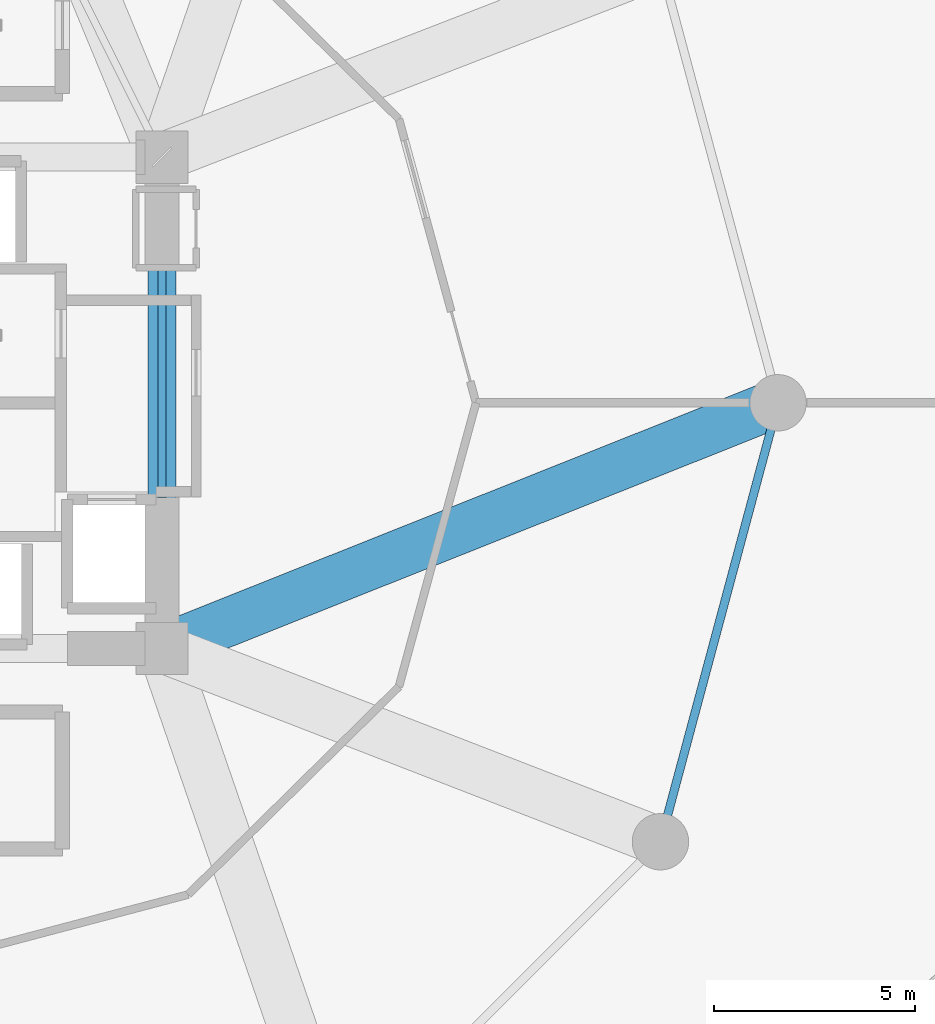
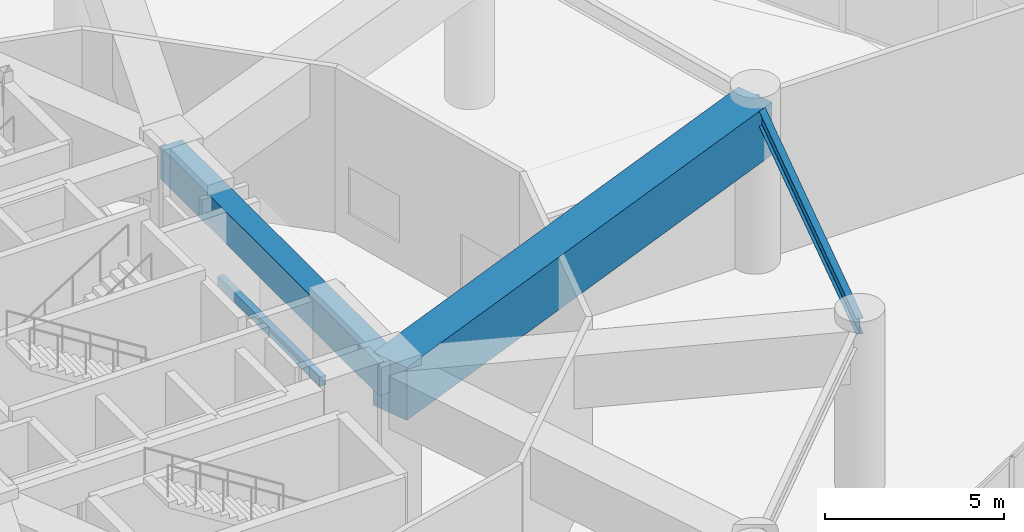
# One storey, part 12 of 28: 4 beams.
"""IFC4 building model written with IfcOpenShell, lengths in metres."""

from ifc_helpers import new_model, si_unit, direction, frame, origin, origin_2d, place, context, subcontext, project, spatial, rectangle, i_section, extrude, material, material_profile, profile_set, type_object, element, save


model = new_model("IFC4")

# Units and contexts
model_context = context("Model", 3, precision=1e-05, world=origin(), true_north=direction((0.0, 1.0)))
body_context = subcontext(model_context, "Body", "Model", "MODEL_VIEW")
ifc_project = project(units=[si_unit("LENGTHUNIT", "METRE"), si_unit("AREAUNIT", "SQUARE_METRE"), si_unit("VOLUMEUNIT", "CUBIC_METRE"), si_unit("PLANEANGLEUNIT", "RADIAN"), si_unit("MASSUNIT", "GRAM", prefix="KILO")], contexts=[model_context])

# Site, building, storey
site_placement = place(None, origin())
site = spatial("IfcSite", under=ifc_project, at=site_placement, CompositionType="ELEMENT")
building_placement = place(site_placement, origin())
building = spatial("IfcBuilding", under=site, at=building_placement, Name="Solvirekh Grand Hotel", CompositionType="ELEMENT")
storey_placement = place(building_placement, frame((0.0, 0.0, 12.60009765625)))
storey = spatial("IfcBuildingStorey", under=building, at=storey_placement, Name="L02", CompositionType="ELEMENT", Elevation=12.60009765625)

# Beams
ifc_material_1 = material(Name="Concrete C60/75", Category="concrete")
ifc_material_profile_1 = material_profile(ifc_material_1, rectangle(XDim=0.699951171875, YDim=1.10009765625, at=origin_2d()), Name="RC BEAM 700X1100")
ifc_profile_set_1 = profile_set([ifc_material_profile_1], Name="Concrete C60/75")
beam_type_1 = type_object("IfcBeamType", Name="Beam_Core_RC1100", PredefinedType="BEAM", material=ifc_profile_set_1)
beam_1_placement = place(storey_placement, frame((6.5, -6.10009765625, 5.08984375), z_axis=(0.0, 1.0, 0.0), x_axis=(-1.0, 0.0, 0.0)))
element("IfcBeam", 1, at=beam_1_placement, inside=storey, type_object=beam_type_1, Name="L02 core coupling ring beam 2", PredefinedType="BEAM", context=body_context, shape_type="SweptSolid", body=[
    extrude(rectangle(XDim=0.699951171875, YDim=1.10009765625, at=origin_2d()), origin(), (0.0, 0.0, 1.0), 12.2001953125),
])
ifc_material_2 = material(Name="Precast concrete C45/55", Category="concrete")
ifc_material_profile_2 = material_profile(ifc_material_2, rectangle(XDim=0.199951171875, YDim=0.320068359375, at=origin_2d()), Name="RC LINTEL 200X320")
ifc_profile_set_2 = profile_set([ifc_material_profile_2], Name="Precast concrete C45/55")
beam_type_2 = type_object("IfcBeamType", Name="Lintel_RC320", PredefinedType="LINTEL", material=ifc_profile_set_2)
beam_2_placement = place(storey_placement, frame((6.5, -2.35009765625, 2.64990234375), z_axis=(0.0, 1.0, 0.0), x_axis=(-1.0, 0.0, 0.0)))
element("IfcBeam", 2, at=beam_2_placement, inside=storey, type_object=beam_type_2, Name="L02 east core lobby RC lintel", PredefinedType="LINTEL", context=body_context, shape_type="SweptSolid", body=[
    extrude(rectangle(XDim=0.199951171875, YDim=0.320068359375, at=origin_2d()), origin(), (0.0, 0.0, 1.0), 5.7001953125),
])
ifc_material_3 = material(Name="Steel S355", Category="steel")
ifc_material_profile_3 = material_profile(ifc_material_3, i_section(OverallWidth=0.208984375, OverallDepth=0.532958984375, WebThickness=0.010009765625, FlangeThickness=0.014892578125, FilletRadius=0.013916015625, at=origin_2d()), Name="W530X92")
ifc_profile_set_3 = profile_set([ifc_material_profile_3], Name="Steel S355")
beam_type_3 = type_object("IfcBeamType", Name="Spandrel_Ring_W530", PredefinedType="SPANDREL", material=ifc_profile_set_3)
beam_3_placement = place(storey_placement, frame((18.87890625, -10.89990234375, 5.372802734375), z_axis=(0.258862249378, 0.965914248703, 0.0), x_axis=(-0.965914248703, 0.258862249378, 0.0)))
element("IfcBeam", 3, at=beam_3_placement, inside=storey, type_object=beam_type_3, Name="L02 perimeter spandrel beam 12", PredefinedType="SPANDREL", context=body_context, shape_type="SweptSolid", body=[
    extrude(i_section(OverallWidth=0.208984375, OverallDepth=0.532958984375, WebThickness=0.010009765625, FlangeThickness=0.014892578125, FilletRadius=0.013916015625, at=origin_2d()), origin(), (0.0, 0.0, 1.0), 11.284423828125),
])
ifc_material_profile_4 = material_profile(ifc_material_1, rectangle(XDim=1.199951171875, YDim=1.800048828125, at=origin_2d()), Name="RC GIRDER 1200X1800")
ifc_profile_set_4 = profile_set([ifc_material_profile_4], Name="Concrete C60/75")
beam_type_4 = type_object("IfcBeamType", Name="TransferGirder_RC1800", PredefinedType="USERDEFINED", material=ifc_profile_set_4)
beam_4_placement = place(storey_placement, frame((6.5, -6.10009765625, 4.739990234375), z_axis=(0.9288931718, 0.370347776263, 0.0), x_axis=(-0.370347776263, 0.9288931718, 0.0)))
element("IfcBeam", 4, at=beam_4_placement, inside=storey, type_object=beam_type_4, Name="L02 radial transfer girder 1", ObjectType="TRANSFER GIRDER", PredefinedType="USERDEFINED", context=body_context, shape_type="SweptSolid", body=[
    extrude(rectangle(XDim=1.199951171875, YDim=1.800048828125, at=origin_2d()), origin(), (0.0, 0.0, 1.0), 16.47119140625),
])

save(model, "model.ifc")
